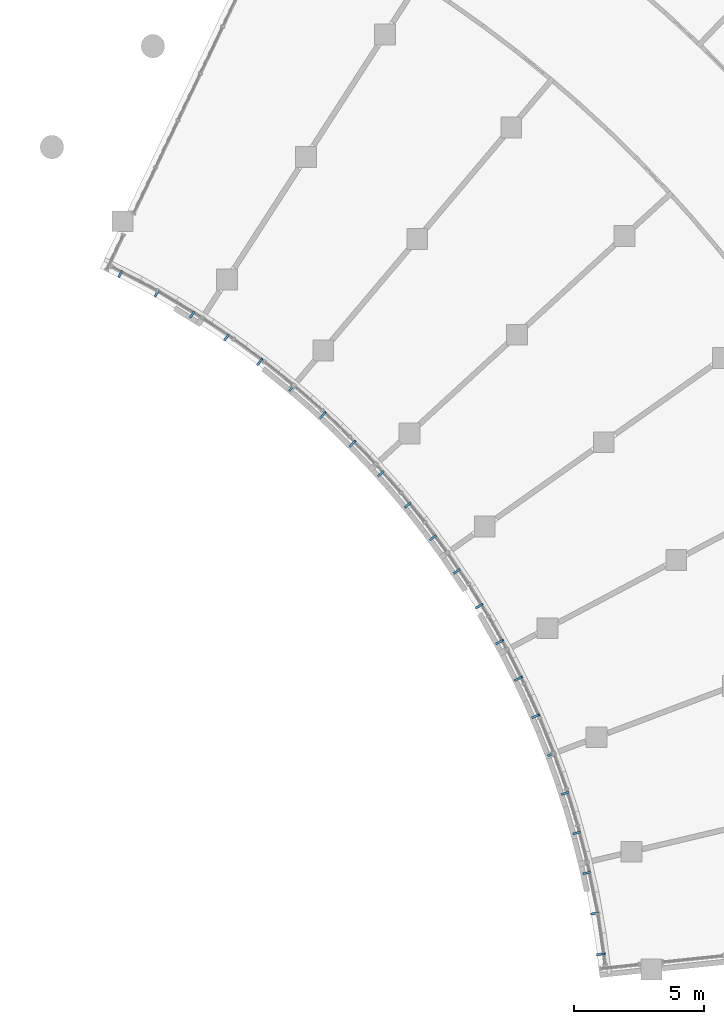
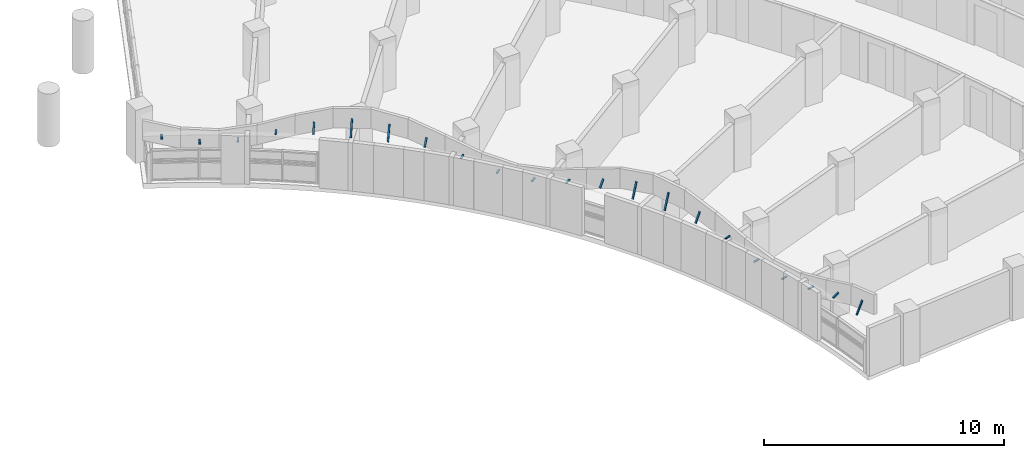
# One storey, part 71 of 89: 22 discrete accessories.
"""IFC4 building model written with IfcOpenShell, lengths in metres."""

from ifc_helpers import new_model, si_unit, direction, frame, origin, origin_2d, place, context, subcontext, project, spatial, rectangle, extrude, material, material_profile, profile_set, type_object, element, save


model = new_model("IFC4")

# Units and contexts
model_context = context("Model", 3, precision=1e-05, world=origin(), true_north=direction((0.0, 1.0)))
body_context = subcontext(model_context, "Body", "Model", "MODEL_VIEW")
ifc_project = project(units=[si_unit("LENGTHUNIT", "METRE"), si_unit("AREAUNIT", "SQUARE_METRE"), si_unit("VOLUMEUNIT", "CUBIC_METRE"), si_unit("PLANEANGLEUNIT", "RADIAN"), si_unit("MASSUNIT", "GRAM", prefix="KILO")], contexts=[model_context])

# Site, building, storey
site_placement = place(None, origin())
site = spatial("IfcSite", under=ifc_project, at=site_placement, CompositionType="ELEMENT")
building_placement = place(site_placement, origin())
building = spatial("IfcBuilding", under=site, at=building_placement, Name="Bougainvillea Quay General Hospital", CompositionType="ELEMENT")
storey_placement = place(building_placement, frame((0.0, 0.0, 9.89990234375)))
storey = spatial("IfcBuildingStorey", under=building, at=storey_placement, Name="L01M", CompositionType="ELEMENT", Elevation=9.89990234375)

# Discrete accessories
ifc_material = material(Name="Stainless steel bracket, grade 316", Category="steel")
ifc_material_profile = material_profile(ifc_material, rectangle(XDim=0.080078125, YDim=0.050048828125, at=origin_2d()))
ifc_profile_set = profile_set([ifc_material_profile], Name="Stainless steel bracket, grade 316")
discrete_accessory_type = type_object("IfcDiscreteAccessoryType", Name="Stainless steel stand-off bracket 80x50", PredefinedType="BRACKET", material=ifc_profile_set)
for number, where, z_axis, x_axis, name in (
    (1, (124.541015625, 52.33203125, 2.25830078125), (0.451117928368, 0.892464349263, 0.0), (-0.892464349263, 0.451117928368, 0.0), "Fascia bracket a12 1"),
    (2, (125.931640625, 51.587646484375, 1.96875), (0.492540051945, 0.870289777735, 0.0), (-0.870289777735, 0.492540051945, 0.0), "Fascia bracket a12 2"),
):
    element("IfcDiscreteAccessory", number, at=place(storey_placement, frame(where, z_axis=z_axis, x_axis=x_axis)), inside=storey, type_object=discrete_accessory_type, Name=name, PredefinedType="BRACKET", context=body_context, shape_type="SweptSolid", body=[
        extrude(rectangle(XDim=0.080078125, YDim=0.050048828125, at=origin_2d()), origin(), (0.0, 0.0, 1.0), 0.2998046875),
    ])
for number, where, z_axis, x_axis, name in (
    (3, (127.286376953125, 50.779541015625, 2.079345703125), (0.532338235015, 0.846531749872, 0.0), (-0.846531749872, 0.532338235015, 0.0), "Fascia bracket a12 3"),
    (4, (128.60205078125, 49.909423828125, 2.531005859375), (0.570563582873, 0.821253430982, 0.0), (-0.821253430982, 0.570563582873, 0.0), "Fascia bracket a12 4"),
):
    element("IfcDiscreteAccessory", number, at=place(storey_placement, frame(where, z_axis=z_axis, x_axis=x_axis)), inside=storey, type_object=discrete_accessory_type, Name=name, PredefinedType="BRACKET", context=body_context, shape_type="SweptSolid", body=[
        extrude(rectangle(XDim=0.080078125, YDim=0.050048828125, at=origin_2d()), origin(), (0.0, 0.0, 1.0), 0.300048828125),
    ])
discrete_accessory_1_placement = place(storey_placement, frame((129.8759765625, 48.979248046875, 2.64013671875), z_axis=(0.345016314177, 0.450322498424, 0.82351283558), x_axis=(-0.793802879778, 0.60817512943, 0.0)))
element("IfcDiscreteAccessory", 5, at=discrete_accessory_1_placement, inside=storey, type_object=discrete_accessory_type, Name="Fascia bracket a12 5", PredefinedType="BRACKET", context=body_context, shape_type="SweptSolid", body=[
    extrude(rectangle(XDim=0.080078125, YDim=0.050048828125, at=origin_2d()), origin(), (0.0, 0.0, 1.0), 0.528564453125),
])
discrete_accessory_2_placement = place(storey_placement, frame((131.10546875, 47.990966796875, 2.64013671875), z_axis=(0.233026399891, 0.276277511992, 0.932399824818), x_axis=(-0.764404316696, 0.644737187245, 0.0)))
element("IfcDiscreteAccessory", 6, at=discrete_accessory_2_placement, inside=storey, type_object=discrete_accessory_type, Name="Fascia bracket a12 6", PredefinedType="BRACKET", context=body_context, shape_type="SweptSolid", body=[
    extrude(rectangle(XDim=0.080078125, YDim=0.050048828125, at=origin_2d()), origin(), (0.0, 0.0, 1.0), 0.829833984375),
])
discrete_accessory_3_placement = place(storey_placement, frame((132.28759765625, 46.946533203125, 2.64013671875), z_axis=(0.261353469823, 0.282324347042, 0.923031595818), x_axis=(-0.733835777101, 0.679326911175, 0.0)))
element("IfcDiscreteAccessory", 7, at=discrete_accessory_3_placement, inside=storey, type_object=discrete_accessory_type, Name="Fascia bracket a12 7", PredefinedType="BRACKET", context=body_context, shape_type="SweptSolid", body=[
    extrude(rectangle(XDim=0.080078125, YDim=0.050048828125, at=origin_2d()), origin(), (0.0, 0.0, 1.0), 0.780029296875),
])
discrete_accessory_4_placement = place(storey_placement, frame((133.420166015625, 45.8486328125, 2.64013671875), z_axis=(0.500718443481, 0.493279198035, 0.711306314568), x_axis=(-0.7017950207, 0.712378936326, 0.0)))
element("IfcDiscreteAccessory", 8, at=discrete_accessory_4_placement, inside=storey, type_object=discrete_accessory_type, Name="Fascia bracket a12 8", PredefinedType="BRACKET", context=body_context, shape_type="SweptSolid", body=[
    extrude(rectangle(XDim=0.080078125, YDim=0.050048828125, at=origin_2d()), origin(), (0.0, 0.0, 1.0), 0.426513671875),
])
for number, where, z_axis, x_axis, name in (
    (9, (134.50048828125, 44.69921875, 2.3935546875), (0.744304488763, 0.667840421065, 0.0), (-0.667840421065, 0.744304488763, 0.0), "Fascia bracket a12 9"),
    (10, (135.5263671875, 43.5009765625, 2.01171875), (0.774319560979, 0.632794767271, 0.0), (-0.632794767271, 0.774319560979, 0.0), "Fascia bracket a12 10"),
):
    element("IfcDiscreteAccessory", number, at=place(storey_placement, frame(where, z_axis=z_axis, x_axis=x_axis)), inside=storey, type_object=discrete_accessory_type, Name=name, PredefinedType="BRACKET", context=body_context, shape_type="SweptSolid", body=[
        extrude(rectangle(XDim=0.080078125, YDim=0.050048828125, at=origin_2d()), origin(), (0.0, 0.0, 1.0), 0.300048828125),
    ])
for number, where, z_axis, x_axis, name in (
    (11, (136.49560546875, 42.256591796875, 2.00830078125), (0.802922012097, 0.596084090117, 0.0), (-0.596084090117, 0.802922012097, 0.0), "Fascia bracket a12 11"),
    (12, (137.406005859375, 40.968505859375, 2.384765625), (0.82991408649, 0.557891216139, 0.0), (-0.557891216139, 0.82991408649, 0.0), "Fascia bracket a12 12"),
):
    element("IfcDiscreteAccessory", number, at=place(storey_placement, frame(where, z_axis=z_axis, x_axis=x_axis)), inside=storey, type_object=discrete_accessory_type, Name=name, PredefinedType="BRACKET", context=body_context, shape_type="SweptSolid", body=[
        extrude(rectangle(XDim=0.080078125, YDim=0.050048828125, at=origin_2d()), origin(), (0.0, 0.0, 1.0), 0.2998046875),
    ])
discrete_accessory_5_placement = place(storey_placement, frame((138.255615234375, 39.639404296875, 2.64013671875), z_axis=(0.6098902136, 0.37058091074, 0.700502473907), x_axis=(-0.51927544977, 0.85460693144, 0.0)))
element("IfcDiscreteAccessory", 13, at=discrete_accessory_5_placement, inside=storey, type_object=discrete_accessory_type, Name="Fascia bracket a12 13", PredefinedType="BRACKET", context=body_context, shape_type="SweptSolid", body=[
    extrude(rectangle(XDim=0.080078125, YDim=0.050048828125, at=origin_2d()), origin(), (0.0, 0.0, 1.0), 0.42041015625),
])
discrete_accessory_6_placement = place(storey_placement, frame((139.042724609375, 38.2724609375, 2.64013671875), z_axis=(0.339323920617, 0.185085774882, 0.92228115715), x_axis=(-0.478852130681, 0.877895572914, 0.0)))
element("IfcDiscreteAccessory", 14, at=discrete_accessory_6_placement, inside=storey, type_object=discrete_accessory_type, Name="Fascia bracket a12 14", PredefinedType="BRACKET", context=body_context, shape_type="SweptSolid", body=[
    extrude(rectangle(XDim=0.080078125, YDim=0.050048828125, at=origin_2d()), origin(), (0.0, 0.0, 1.0), 0.775634765625),
])
discrete_accessory_7_placement = place(storey_placement, frame((139.765380859375, 36.870361328125, 2.64013671875), z_axis=(0.324119833058, 0.157806760349, 0.93276114853), x_axis=(-0.437750214358, 0.899096629862, 0.0)))
element("IfcDiscreteAccessory", 15, at=discrete_accessory_7_placement, inside=storey, type_object=discrete_accessory_type, Name="Fascia bracket a12 15", PredefinedType="BRACKET", context=body_context, shape_type="SweptSolid", body=[
    extrude(rectangle(XDim=0.080078125, YDim=0.050048828125, at=origin_2d()), origin(), (0.0, 0.0, 1.0), 0.832275390625),
])
discrete_accessory_8_placement = place(storey_placement, frame((140.42236328125, 35.436279296875, 2.64013671875), z_axis=(0.514655267274, 0.221543365717, 0.828280443433), x_axis=(-0.39539162244, 0.918512637313, 0.0)))
element("IfcDiscreteAccessory", 16, at=discrete_accessory_8_placement, inside=storey, type_object=discrete_accessory_type, Name="Fascia bracket a12 16", PredefinedType="BRACKET", context=body_context, shape_type="SweptSolid", body=[
    extrude(rectangle(XDim=0.080078125, YDim=0.050048828125, at=origin_2d()), origin(), (0.0, 0.0, 1.0), 0.53564453125),
])
for number, where, z_axis, x_axis, name in (
    (17, (141.01220703125, 33.973388671875, 2.540283203125), (0.935860136355, 0.352371686123, 0.0), (-0.352371686123, 0.935860136355, 0.0), "Fascia bracket a12 17"),
    (18, (141.533447265625, 32.484619140625, 2.084716796875), (0.951255083436, 0.308405198137, 0.0), (-0.308405198137, 0.951255083436, 0.0), "Fascia bracket a12 18"),
):
    element("IfcDiscreteAccessory", number, at=place(storey_placement, frame(where, z_axis=z_axis, x_axis=x_axis)), inside=storey, type_object=discrete_accessory_type, Name=name, PredefinedType="BRACKET", context=body_context, shape_type="SweptSolid", body=[
        extrude(rectangle(XDim=0.080078125, YDim=0.050048828125, at=origin_2d()), origin(), (0.0, 0.0, 1.0), 0.300048828125),
    ])
discrete_accessory_9_placement = place(storey_placement, frame((141.98486328125, 30.97314453125, 1.967041015625), z_axis=(0.96444409116, 0.264286955841, 0.0), x_axis=(-0.264286955841, 0.96444409116, 0.0)))
element("IfcDiscreteAccessory", 19, at=discrete_accessory_9_placement, inside=storey, type_object=discrete_accessory_type, Name="Fascia bracket a12 19", PredefinedType="BRACKET", context=body_context, shape_type="SweptSolid", body=[
    extrude(rectangle(XDim=0.080078125, YDim=0.050048828125, at=origin_2d()), origin(), (0.0, 0.0, 1.0), 0.30029296875),
])
discrete_accessory_10_placement = place(storey_placement, frame((142.365966796875, 29.442626953125, 2.252197265625), z_axis=(0.975744639725, 0.218911849947, 0.0), x_axis=(-0.218911849947, 0.975744639725, 0.0)))
element("IfcDiscreteAccessory", 20, at=discrete_accessory_10_placement, inside=storey, type_object=discrete_accessory_type, Name="Fascia bracket a12 20", PredefinedType="BRACKET", context=body_context, shape_type="SweptSolid", body=[
    extrude(rectangle(XDim=0.080078125, YDim=0.050048828125, at=origin_2d()), origin(), (0.0, 0.0, 1.0), 0.300048828125),
])
discrete_accessory_11_placement = place(storey_placement, frame((142.675537109375, 27.895751953125, 2.64013671875), z_axis=(0.888640402459, 0.156430087375, 0.431100757226), x_axis=(-0.173367427214, 0.984857215631, 0.0)))
element("IfcDiscreteAccessory", 21, at=discrete_accessory_11_placement, inside=storey, type_object=discrete_accessory_type, Name="Fascia bracket a12 21", PredefinedType="BRACKET", context=body_context, shape_type="SweptSolid", body=[
    extrude(rectangle(XDim=0.080078125, YDim=0.050048828125, at=origin_2d()), origin(), (0.0, 0.0, 1.0), 0.33251953125),
])
discrete_accessory_12_placement = place(storey_placement, frame((142.9130859375, 26.33642578125, 2.64013671875), z_axis=(0.427497278365, 0.055059124449, 0.902338389855), x_axis=(-0.127738989048, 0.991807819427, 0.0)))
element("IfcDiscreteAccessory", 22, at=discrete_accessory_12_placement, inside=storey, type_object=discrete_accessory_type, Name="Fascia bracket a12 22", PredefinedType="BRACKET", context=body_context, shape_type="SweptSolid", body=[
    extrude(rectangle(XDim=0.080078125, YDim=0.050048828125, at=origin_2d()), origin(), (0.0, 0.0, 1.0), 0.696044921875),
])

save(model, "model.ifc")
